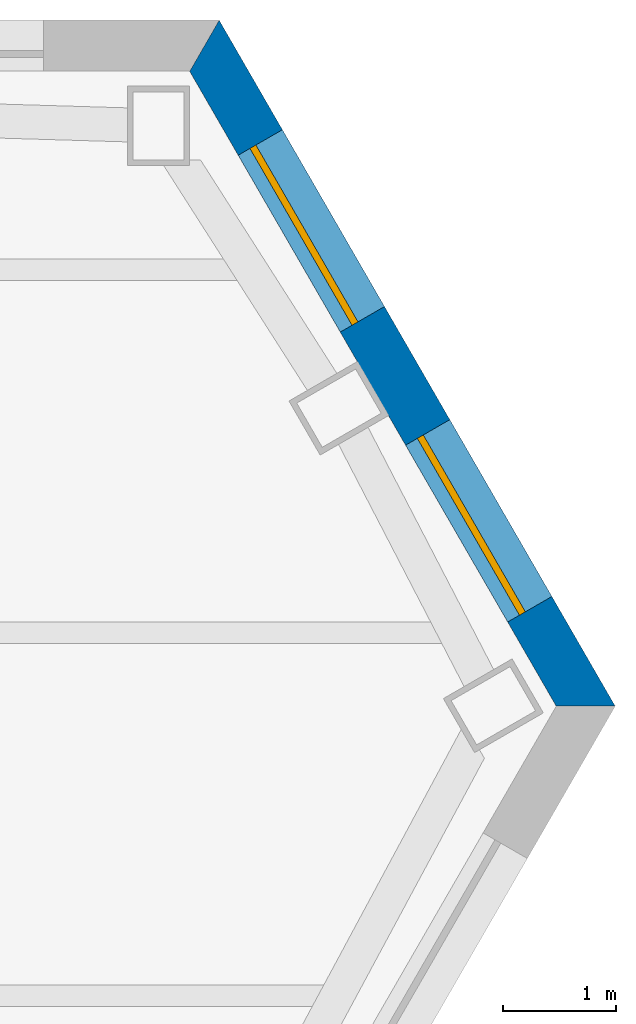
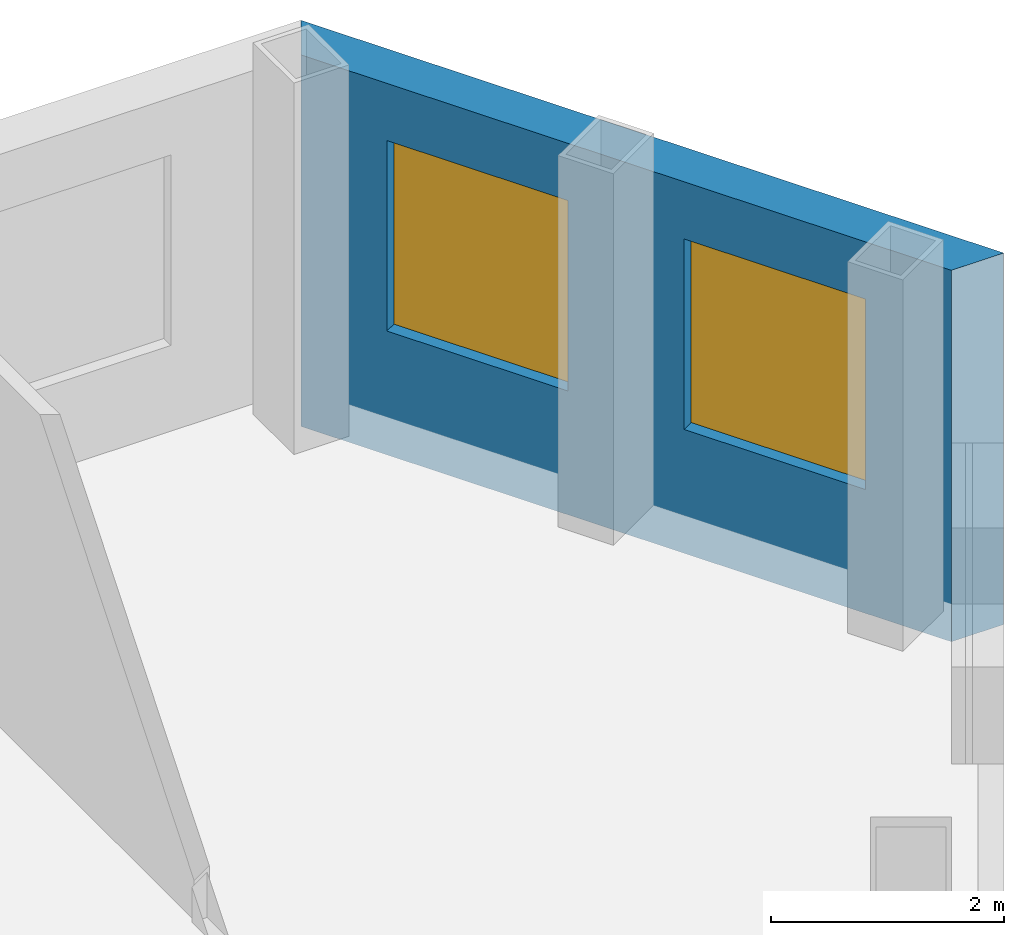
# One storey, part 8 of 11: 2 windows, 1 wall, 2 openings.
"""IFC4 building model written with IfcOpenShell, lengths in metres."""

from ifc_helpers import new_model, si_unit, direction, frame, frame_2d, origin, place, context, subcontext, project, spatial, polyline, rectangle, outline, extrude, material, layer, layer_set, type_object, element, fill, save


model = new_model("IFC4")

# Units and contexts
model_context = context("Model", 3, precision=1e-05, world=origin(), true_north=direction((0.0, 1.0)))
body_context = subcontext(model_context, "Body", "Model", "MODEL_VIEW")
ifc_project = project(units=[si_unit("LENGTHUNIT", "METRE"), si_unit("AREAUNIT", "SQUARE_METRE"), si_unit("VOLUMEUNIT", "CUBIC_METRE"), si_unit("PLANEANGLEUNIT", "RADIAN"), si_unit("MASSUNIT", "GRAM", prefix="KILO")], contexts=[model_context])

# Site, building, storey
site_placement = place(None, origin())
site = spatial("IfcSite", under=ifc_project, at=site_placement, CompositionType="ELEMENT")
building_placement = place(site_placement, origin())
building = spatial("IfcBuilding", under=site, at=building_placement, Name="Njiva Tower", CompositionType="ELEMENT")
storey_placement = place(building_placement, frame((0.0, 0.0, 219.9)))
storey = spatial("IfcBuildingStorey", under=building, at=storey_placement, Name="L49", CompositionType="ELEMENT", Elevation=219.9)

# Wall, openings, windows
ifc_material_1 = material(Name="Brick masonry, buff", Category="masonry")
ifc_layer = layer(ifc_material_1, 0.45)
ifc_layer_set = layer_set([ifc_layer], Name="Brick masonry, buff")
wall_type = type_object("IfcWallType", Name="WT94 Brick pier and spandrel wall 450, buff", PredefinedType="SOLIDWALL", material=ifc_layer_set)
wall_placement = place(storey_placement, frame((26.2314, 14.153, -0.4), z_axis=(0.0, 0.0, 1.0), x_axis=(-0.500004118585, 0.866023025905, 0.0)))
wall = element("IfcWall", 1, at=wall_placement, inside=storey, type_object=wall_type, Name="Facade wall NE", PredefinedType="SOLIDWALL", context=body_context, shape_type="SweptSolid", body=[
    extrude(outline(polyline([(-0.1299, -0.225), (6.85, -0.225), (6.5902, 0.225), (0.1299, 0.225), (-0.1299, -0.225)])), origin(), (0.0, 0.0, 1.0), 3.9),
])
opening_1_placement = place(wall_placement, frame((0.9844, 0.0, 1.3)))
opening_1 = element("IfcOpeningElement", 2, at=opening_1_placement, cuts=wall, Name="Opening S16-W31", PredefinedType="OPENING", context=body_context, shape_type="SweptSolid", body=[
    extrude(rectangle(XDim=1.8, YDim=2.0, at=frame_2d((0.9, 1.0))), frame((0.0, 0.235, 0.0), z_axis=(0.0, -1.0, 0.0), x_axis=(1.0, 0.0, 0.0)), (0.0, 0.0, 1.0), 0.47),
])
opening_2_placement = place(wall_placement, frame((3.9357, 0.0, 1.3)))
opening_2 = element("IfcOpeningElement", 3, at=opening_2_placement, cuts=wall, Name="Opening S16-W32", PredefinedType="OPENING", context=body_context, shape_type="SweptSolid", body=[
    extrude(rectangle(XDim=1.8, YDim=2.0, at=frame_2d((0.9, 1.0))), frame((0.0, 0.235, 0.0), z_axis=(0.0, -1.0, 0.0), x_axis=(1.0, 0.0, 0.0)), (0.0, 0.0, 1.0), 0.47),
])
ifc_material_2 = material(Name="Clear glazing in aluminium frame", Category="aluminium")
window_type = type_object("IfcWindowType", Name="W94 Deep-set window 1800x2000", PartitioningType="SINGLE_PANEL", PredefinedType="WINDOW", material=ifc_material_2)
window_1_placement = place(opening_1_placement, origin())
window_1 = element("IfcWindow", 4, at=window_1_placement, inside=storey, type_object=window_type, Name="Window", OverallHeight=2.0, OverallWidth=1.8, PartitioningType="SINGLE_PANEL", PredefinedType="WINDOW", context=body_context, shape_type="SweptSolid", body=[
    extrude(rectangle(XDim=1.8, YDim=2.0, at=frame_2d((0.9, 1.0))), frame((0.0, 0.105, 0.0), z_axis=(0.0, -1.0, 0.0), x_axis=(1.0, 0.0, 0.0)), (0.0, 0.0, 1.0), 0.06),
])
fill(opening_1, window_1)
window_2_placement = place(opening_2_placement, origin())
window_2 = element("IfcWindow", 5, at=window_2_placement, inside=storey, type_object=window_type, Name="Window", OverallHeight=2.0, OverallWidth=1.8, PartitioningType="SINGLE_PANEL", PredefinedType="WINDOW", context=body_context, shape_type="SweptSolid", body=[
    extrude(rectangle(XDim=1.8, YDim=2.0, at=frame_2d((0.9, 1.0))), frame((0.0, 0.105, 0.0), z_axis=(0.0, -1.0, 0.0), x_axis=(1.0, 0.0, 0.0)), (0.0, 0.0, 1.0), 0.06),
])
fill(opening_2, window_2)

save(model, "model.ifc")
